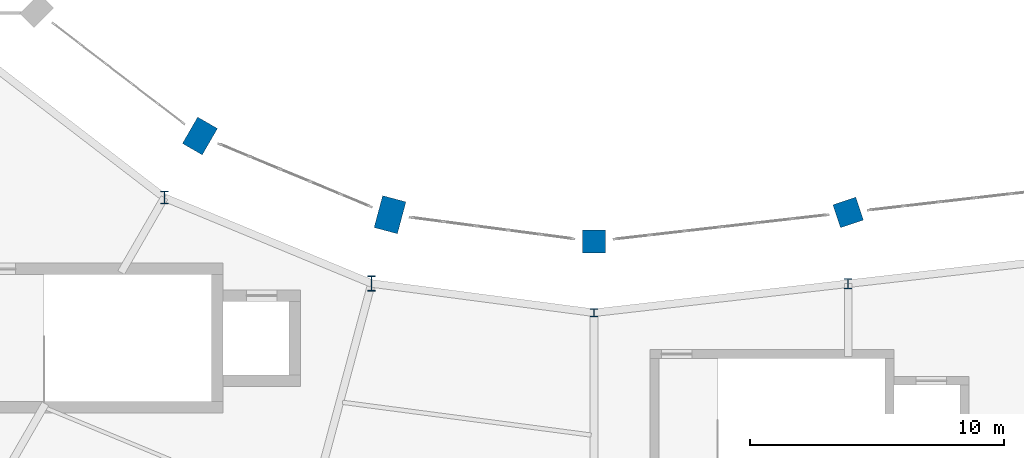
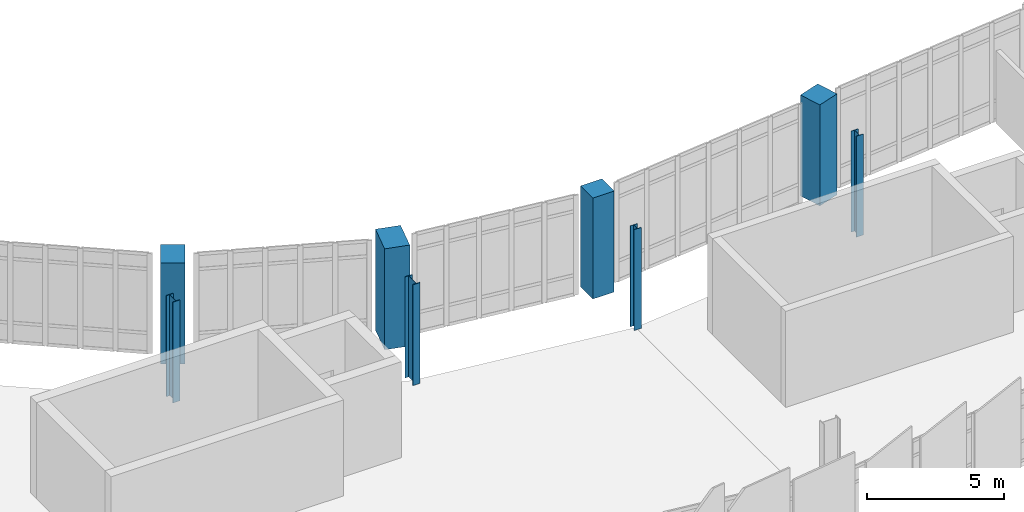
# One storey, part 3 of 67: 8 columns.
"""IFC4 building model written with IfcOpenShell, lengths in metres."""

from ifc_helpers import new_model, si_unit, direction, frame, origin, origin_2d, place, context, subcontext, project, spatial, rectangle, i_section, extrude, material, material_profile, profile_set, type_object, element, save


model = new_model("IFC4")

# Units and contexts
model_context = context("Model", 3, precision=1e-05, world=origin(), true_north=direction((0.0, 1.0)))
body_context = subcontext(model_context, "Body", "Model", "MODEL_VIEW")
ifc_project = project(units=[si_unit("LENGTHUNIT", "METRE"), si_unit("AREAUNIT", "SQUARE_METRE"), si_unit("VOLUMEUNIT", "CUBIC_METRE"), si_unit("PLANEANGLEUNIT", "RADIAN"), si_unit("MASSUNIT", "GRAM", prefix="KILO")], contexts=[model_context])

# Site, building, storey
site_placement = place(None, origin())
site = spatial("IfcSite", under=ifc_project, at=site_placement, CompositionType="ELEMENT")
building_placement = place(site_placement, origin())
building = spatial("IfcBuilding", under=site, at=building_placement, Name="Sohan Crest Arena", CompositionType="ELEMENT")
storey_placement = place(building_placement, frame((0.0, 0.0, 22.5)))
storey = spatial("IfcBuildingStorey", under=building, at=storey_placement, Name="L05", CompositionType="ELEMENT", Elevation=22.5)

# Columns
ifc_material_1 = material(Name="Concrete C40/50", Category="concrete")
ifc_material_profile_1 = material_profile(ifc_material_1, rectangle(XDim=0.89990234375, YDim=0.89990234375, at=origin_2d()), Name="RC 900x900")
ifc_profile_set_1 = profile_set([ifc_material_profile_1], Name="Concrete C40/50")
column_type_1 = type_object("IfcColumnType", Name="STR-COL-C07", PredefinedType="COLUMN", material=ifc_profile_set_1)
column_1_placement = place(storey_placement, frame((98.0, 47.0, 0.0), z_axis=(0.0, 0.0, 1.0), x_axis=(0.0, 1.0, 0.0)))
element("IfcColumn", 1, at=column_1_placement, inside=storey, type_object=column_type_1, Name="Structural column COL-V1R-13-L05", PredefinedType="COLUMN", context=body_context, shape_type="SweptSolid", body=[
    extrude(rectangle(XDim=0.89990234375, YDim=0.89990234375, at=origin_2d()), origin(), (0.0, 0.0, 1.0), 4.5),
])
ifc_material_profile_2 = material_profile(ifc_material_1, rectangle(XDim=0.949951171875, YDim=0.949951171875, at=origin_2d()), Name="RC 950x950")
ifc_profile_set_2 = profile_set([ifc_material_profile_2], Name="Concrete C40/50")
column_type_2 = type_object("IfcColumnType", Name="STR-COL-C08", PredefinedType="COLUMN", material=ifc_profile_set_2)
column_2_placement = place(storey_placement, frame((108.0, 48.14306640625, 0.0), z_axis=(0.0, 0.0, 1.0), x_axis=(-0.317304656405, 0.948323655206, 0.0)))
element("IfcColumn", 2, at=column_2_placement, inside=storey, type_object=column_type_2, Name="Structural column COL-V1R-14-L05", PredefinedType="COLUMN", context=body_context, shape_type="SweptSolid", body=[
    extrude(rectangle(XDim=0.949951171875, YDim=0.949951171875, at=origin_2d()), origin(), (0.0, 0.0, 1.0), 4.5),
])
ifc_material_profile_3 = material_profile(ifc_material_1, rectangle(XDim=1.199951171875, YDim=0.89990234375, at=origin_2d()), Name="RC 1200x900")
ifc_profile_set_3 = profile_set([ifc_material_profile_3], Name="Concrete C40/50")
column_type_3 = type_object("IfcColumnType", Name="STR-COL-C11", PredefinedType="COLUMN", material=ifc_profile_set_3)
column_3_placement = place(storey_placement, frame((82.5, 51.153076171875, 0.0), z_axis=(0.0, 0.0, 1.0), x_axis=(0.5, 0.866025403784, 0.0)))
element("IfcColumn", 3, at=column_3_placement, inside=storey, type_object=column_type_3, Name="Structural column COL-V1R-11-L05", PredefinedType="COLUMN", context=body_context, shape_type="SweptSolid", body=[
    extrude(rectangle(XDim=1.199951171875, YDim=0.89990234375, at=origin_2d()), origin(), (0.0, 0.0, 1.0), 4.5),
])
ifc_material_profile_4 = material_profile(ifc_material_1, rectangle(XDim=1.300048828125, YDim=0.949951171875, at=origin_2d()), Name="RC 1300x950")
ifc_profile_set_4 = profile_set([ifc_material_profile_4], Name="Concrete C40/50")
column_type_4 = type_object("IfcColumnType", Name="STR-COL-C12", PredefinedType="COLUMN", material=ifc_profile_set_4)
column_4_placement = place(storey_placement, frame((89.97705078125, 48.055908203125, 0.0), z_axis=(0.0, 0.0, 1.0), x_axis=(0.258819045103, 0.965925826289, 0.0)))
element("IfcColumn", 4, at=column_4_placement, inside=storey, type_object=column_type_4, Name="Structural column COL-V1R-12-L05", PredefinedType="COLUMN", context=body_context, shape_type="SweptSolid", body=[
    extrude(rectangle(XDim=1.300048828125, YDim=0.949951171875, at=origin_2d()), origin(), (0.0, 0.0, 1.0), 4.5),
])
ifc_material_2 = material(Name="Steel S355", Category="steel")
ifc_material_profile_5 = material_profile(ifc_material_2, i_section(OverallWidth=0.300048828125, OverallDepth=0.300048828125, WebThickness=0.010986328125, FlangeThickness=0.01904296875, at=origin_2d()), Name="HEB 300")
ifc_profile_set_5 = profile_set([ifc_material_profile_5], Name="Steel S355")
column_type_5 = type_object("IfcColumnType", Name="STR-COL-C17", PredefinedType="COLUMN", material=ifc_profile_set_5)
column_5_placement = place(storey_placement, frame((98.0, 44.199951171875, 0.0), z_axis=(0.0, 0.0, 1.0), x_axis=(1.0, 0.0, 0.0)))
element("IfcColumn", 5, at=column_5_placement, inside=storey, type_object=column_type_5, Name="Structural column COL-V2I-13-L05", PredefinedType="COLUMN", context=body_context, shape_type="SweptSolid", body=[
    extrude(i_section(OverallWidth=0.300048828125, OverallDepth=0.300048828125, WebThickness=0.010986328125, FlangeThickness=0.01904296875, at=origin_2d()), origin(), (0.0, 0.0, 1.0), 4.5),
])
ifc_material_profile_6 = material_profile(ifc_material_2, i_section(OverallWidth=0.300048828125, OverallDepth=0.39990234375, WebThickness=0.013427734375, FlangeThickness=0.02392578125, at=origin_2d()), Name="HEB 400")
ifc_profile_set_6 = profile_set([ifc_material_profile_6], Name="Steel S355")
column_type_6 = type_object("IfcColumnType", Name="STR-COL-C18", PredefinedType="COLUMN", material=ifc_profile_set_6)
column_6_placement = place(storey_placement, frame((108.0, 45.343017578125, 0.0), z_axis=(0.0, 0.0, 1.0), x_axis=(1.0, 0.0, 0.0)))
element("IfcColumn", 6, at=column_6_placement, inside=storey, type_object=column_type_6, Name="Structural column COL-V2I-14-L05", PredefinedType="COLUMN", context=body_context, shape_type="SweptSolid", body=[
    extrude(i_section(OverallWidth=0.300048828125, OverallDepth=0.39990234375, WebThickness=0.013427734375, FlangeThickness=0.02392578125, at=origin_2d()), origin(), (0.0, 0.0, 1.0), 4.5),
])
ifc_material_profile_7 = material_profile(ifc_material_2, i_section(OverallWidth=0.300048828125, OverallDepth=0.5, WebThickness=0.014404296875, FlangeThickness=0.028076171875, at=origin_2d()), Name="HEB 500")
ifc_profile_set_7 = profile_set([ifc_material_profile_7], Name="Steel S355")
column_type_7 = type_object("IfcColumnType", Name="STR-COL-C19", PredefinedType="COLUMN", material=ifc_profile_set_7)
column_7_placement = place(storey_placement, frame((81.10009765625, 48.72802734375, 0.0), z_axis=(0.0, 0.0, 1.0), x_axis=(1.0, 0.0, 0.0)))
element("IfcColumn", 7, at=column_7_placement, inside=storey, type_object=column_type_7, Name="Structural column COL-V2I-11-L05", PredefinedType="COLUMN", context=body_context, shape_type="SweptSolid", body=[
    extrude(i_section(OverallWidth=0.300048828125, OverallDepth=0.5, WebThickness=0.014404296875, FlangeThickness=0.028076171875, at=origin_2d()), origin(), (0.0, 0.0, 1.0), 4.5),
])
ifc_material_profile_8 = material_profile(ifc_material_2, i_section(OverallWidth=0.300048828125, OverallDepth=0.60009765625, WebThickness=0.015380859375, FlangeThickness=0.030029296875, at=origin_2d()), Name="HEB 600")
ifc_profile_set_8 = profile_set([ifc_material_profile_8], Name="Steel S355")
column_type_8 = type_object("IfcColumnType", Name="STR-COL-C20", PredefinedType="COLUMN", material=ifc_profile_set_8)
column_8_placement = place(storey_placement, frame((89.251953125, 45.35205078125, 0.0), z_axis=(0.0, 0.0, 1.0), x_axis=(1.0, 0.0, 0.0)))
element("IfcColumn", 8, at=column_8_placement, inside=storey, type_object=column_type_8, Name="Structural column COL-V2I-12-L05", PredefinedType="COLUMN", context=body_context, shape_type="SweptSolid", body=[
    extrude(i_section(OverallWidth=0.300048828125, OverallDepth=0.60009765625, WebThickness=0.015380859375, FlangeThickness=0.030029296875, at=origin_2d()), origin(), (0.0, 0.0, 1.0), 4.5),
])

save(model, "model.ifc")
